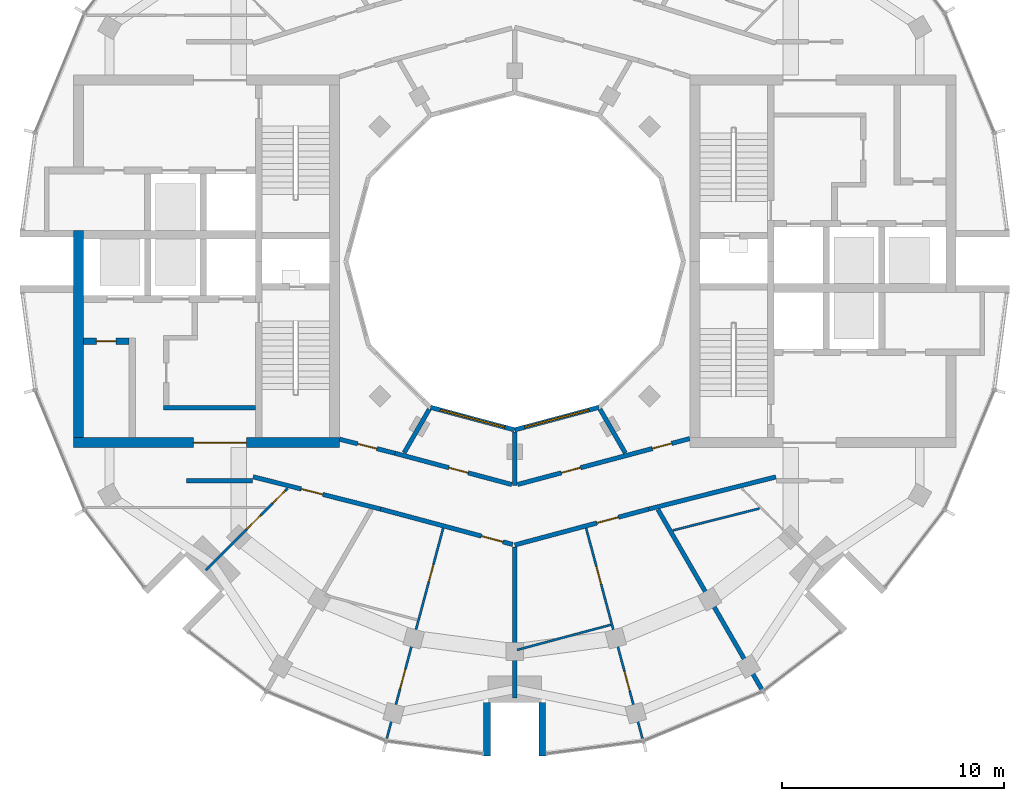
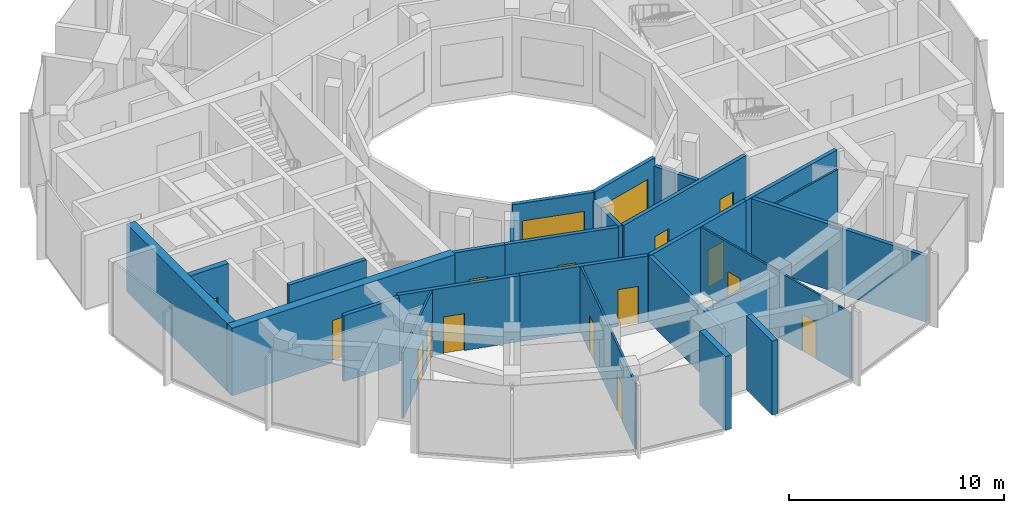
# One storey, part 8 of 14: 26 walls, 15 doors, 2 windows, 17 openings.
"""IFC4 building model written with IfcOpenShell, lengths in metres."""

from ifc_helpers import new_model, si_unit, direction, frame, frame_2d, origin, place, context, subcontext, project, spatial, rectangle, extrude, material, layer, layer_set, type_object, element, fill, save


model = new_model("IFC4")

# Units and contexts
model_context = context("Model", 3, precision=1e-05, world=origin(), true_north=direction((0.0, 1.0)))
body_context = subcontext(model_context, "Body", "Model", "MODEL_VIEW")
ifc_project = project(units=[si_unit("LENGTHUNIT", "METRE"), si_unit("AREAUNIT", "SQUARE_METRE"), si_unit("VOLUMEUNIT", "CUBIC_METRE"), si_unit("PLANEANGLEUNIT", "RADIAN"), si_unit("MASSUNIT", "GRAM", prefix="KILO")], contexts=[model_context])

# Site, building, storey
site_placement = place(None, origin())
site = spatial("IfcSite", under=ifc_project, at=site_placement, CompositionType="ELEMENT")
building_placement = place(site_placement, origin())
building = spatial("IfcBuilding", under=site, at=building_placement, Name="Torre Brocal", CompositionType="ELEMENT")
storey_placement = place(building_placement, frame((0.0, 0.0, 305.10009765625)))
storey = spatial("IfcBuildingStorey", under=building, at=storey_placement, Name="L70", CompositionType="ELEMENT", Elevation=305.10009765625)

# Wall
ifc_material_1 = material(Name="Concrete C50", Category="concrete")
ifc_layer_1 = layer(ifc_material_1, 0.199951171875)
ifc_layer_set_1 = layer_set([ifc_layer_1], Name="Concrete C50")
wall_type_1 = type_object("IfcWallType", Name="CORE WALL 200 C50 UNDER 350 SLAB", PredefinedType="SHEAR", material=ifc_layer_set_1)
wall_1_placement = place(storey_placement, frame((68.300048828125, 68.39990234375, 0.0), z_axis=(0.0, 0.0, 1.0), x_axis=(-1.0, 0.0, 0.0)))
element("IfcWall", 1, at=wall_1_placement, inside=storey, type_object=wall_type_1, Name="Wall CW200-50-S350", PredefinedType="SHEAR", context=body_context, shape_type="SweptSolid", body=[
    extrude(rectangle(XDim=4.150146484375, YDim=0.199951171875, at=frame_2d((2.0751953125, 0.0))), origin(), (0.0, 0.0, 1.0), 3.849853515625),
])

# Wall, opening, door
ifc_material_2 = material(Name="Concrete C50", Category="concrete")
ifc_layer_2 = layer(ifc_material_2, 0.300048828125)
ifc_layer_set_2 = layer_set([ifc_layer_2], Name="Concrete C50")
wall_type_2 = type_object("IfcWallType", Name="CORE WALL 300 C50 UNDER 350 SLAB", PredefinedType="SHEAR", material=ifc_layer_set_2)
wall_2_placement = place(storey_placement, frame((62.60009765625, 71.39990234375, 0.0), z_axis=(0.0, 0.0, 1.0), x_axis=(-1.0, 0.0, 0.0)))
wall_2 = element("IfcWall", 2, at=wall_2_placement, inside=storey, type_object=wall_type_2, Name="Wall CW300-50-S350", PredefinedType="SHEAR", context=body_context, shape_type="SweptSolid", body=[
    extrude(rectangle(XDim=2.050048828125, YDim=0.300048828125, at=frame_2d((1.02490234375, 0.0))), origin(), (0.0, 0.0, 1.0), 3.849853515625),
])
opening_1_placement = place(wall_2_placement, frame((0.574951171875, 0.0, 0.0)))
opening_1 = element("IfcOpeningElement", 3, at=opening_1_placement, cuts=wall_2, Name="Opening W-D06", PredefinedType="OPENING", context=body_context, shape_type="SweptSolid", body=[
    extrude(rectangle(XDim=0.89990234375, YDim=2.10009765625, at=frame_2d((0.449951171875, 1.050048828125))), frame((0.0, 0.159912109375, 0.0), z_axis=(0.0, -1.0, 0.0), x_axis=(1.0, 0.0, 0.0)), (0.0, 0.0, 1.0), 0.320068359375),
])
ifc_material_3 = material(Name="Steel A653", Category="steel")
door_type_1 = type_object("IfcDoorType", Name="ROOM DOOR FD30S 900X2100", OperationType="SINGLE_SWING_LEFT", PredefinedType="DOOR", material=ifc_material_3)
door_1_placement = place(opening_1_placement, origin())
door_1 = element("IfcDoor", 4, at=door_1_placement, inside=storey, type_object=door_type_1, Name="Door W-D06", OperationType="SINGLE_SWING_RIGHT", OverallHeight=2.10009765625, OverallWidth=0.89990234375, PredefinedType="DOOR", context=body_context, shape_type="SweptSolid", body=[
    extrude(rectangle(XDim=0.89990234375, YDim=2.10009765625, at=frame_2d((0.449951171875, 1.050048828125))), frame((0.0, 0.02490234375, 0.0), z_axis=(0.0, -1.0, 0.0), x_axis=(1.0, 0.0, 0.0)), (0.0, 0.0, 1.0), 0.050048828125),
])
fill(opening_1, door_1)

ifc_material_4 = material(Name="Concrete C50", Category="concrete")
ifc_layer_3 = layer(ifc_material_4, 0.449951171875)
ifc_layer_set_3 = layer_set([ifc_layer_3], Name="Concrete C50")
wall_type_3 = type_object("IfcWallType", Name="CORE WALL 450 C50 UNDER 350 SLAB", PredefinedType="SHEAR", material=ifc_layer_set_3)
wall_3_placement = place(storey_placement, frame((72.10009765625, 66.824951171875, 0.0), z_axis=(0.0, 0.0, 1.0), x_axis=(-1.0, 0.0, 0.0)))
wall_3 = element("IfcWall", 5, at=wall_3_placement, inside=storey, type_object=wall_type_3, Name="Wall CW450-50-S350", PredefinedType="SHEAR", context=body_context, shape_type="SweptSolid", body=[
    extrude(rectangle(XDim=12.0, YDim=0.449951171875, at=frame_2d((6.0, 0.0))), origin(), (0.0, 0.0, 1.0), 3.849853515625),
])
opening_2_placement = place(wall_3_placement, frame((4.199951171875, 0.0, 0.0)))
opening_2 = element("IfcOpeningElement", 6, at=opening_2_placement, cuts=wall_3, Name="Opening W-D24", PredefinedType="OPENING", context=body_context, shape_type="SweptSolid", body=[
    extrude(rectangle(XDim=2.39990234375, YDim=2.39990234375, at=frame_2d((1.199951171875, 1.199951171875))), frame((0.0, 0.23486328125, 0.0), z_axis=(0.0, -1.0, 0.0), x_axis=(1.0, 0.0, 0.0)), (0.0, 0.0, 1.0), 0.469970703125),
])
ifc_material_5 = material(Name="Steel A653", Category="steel")
door_type_2 = type_object("IfcDoorType", Name="DOUBLE FIRE DOOR FD90 2400X2400", OperationType="DOUBLE_DOOR_SINGLE_SWING", PredefinedType="DOOR", material=ifc_material_5)
door_2_placement = place(opening_2_placement, frame((2.39990234375, 0.0, 0.0), z_axis=(0.0, 0.0, 1.0), x_axis=(-1.0, 0.0, 0.0)))
door_2 = element("IfcDoor", 7, at=door_2_placement, inside=storey, type_object=door_type_2, Name="Door W-D24", OperationType="DOUBLE_DOOR_SINGLE_SWING", OverallHeight=2.39990234375, OverallWidth=2.39990234375, PredefinedType="DOOR", context=body_context, shape_type="SweptSolid", body=[
    extrude(rectangle(XDim=2.39990234375, YDim=2.39990234375, at=frame_2d((1.199951171875, 1.199951171875))), frame((0.0, 0.02490234375, 0.0), z_axis=(0.0, -1.0, 0.0), x_axis=(1.0, 0.0, 0.0)), (0.0, 0.0, 1.0), 0.050048828125),
])
fill(opening_2, door_2)

# Walls
wall_4_placement = place(storey_placement, frame((60.324951171875, 76.39990234375, 0.0), z_axis=(0.0, 0.0, 1.0), x_axis=(0.0, -1.0, 0.0)))
element("IfcWall", 8, at=wall_4_placement, inside=storey, type_object=wall_type_3, Name="Wall CW450-50-S350", PredefinedType="SHEAR", context=body_context, shape_type="SweptSolid", body=[
    extrude(rectangle(XDim=9.349853515625, YDim=0.449951171875, at=frame_2d((4.6748046875, 0.0))), origin(), (0.0, 0.0, 1.0), 3.849853515625),
])
ifc_material_6 = material(Name="Concrete C50", Category="concrete")
ifc_layer_4 = layer(ifc_material_6, 0.300048828125)
ifc_layer_set_4 = layer_set([ifc_layer_4], Name="Concrete C50")
wall_type_4 = type_object("IfcWallType", Name="NOTCH RETURN WALL 300 C50", PredefinedType="NOTDEFINED", material=ifc_layer_set_4)
for number, where, z_axis, x_axis, name in (
    (9, (78.75, 55.10009765625, 0.0), (0.0, 0.0, 1.0), (0.0, -1.0, 0.0), "NOTCH RETURN WALL"),
    (10, (81.25, 55.10009765625, 0.0), (0.0, 0.0, 1.0), (0.0, -1.0, 0.0), "NOTCH RETURN WALL"),
):
    element("IfcWall", number, at=place(storey_placement, frame(where, z_axis=z_axis, x_axis=x_axis)), inside=storey, type_object=wall_type_4, Name=name, PredefinedType="NOTDEFINED", context=body_context, shape_type="SweptSolid", body=[
        extrude(rectangle(XDim=2.415771484375, YDim=0.300048828125, at=frame_2d((1.2080078125, 0.0))), origin(), (0.0, 0.0, 1.0), 4.199951171875),
    ])

# Wall, openings, doors
ifc_material_7 = material(Name="Gypsum board", Category="Gypsum")
ifc_layer_5 = layer(ifc_material_7, 0.10009765625)
ifc_layer_set_5 = layer_set([ifc_layer_5], Name="Gypsum board")
wall_type_5 = type_object("IfcWallType", Name="PARTITION 100", PredefinedType="PARTITIONING", material=ifc_layer_set_5)
wall_5_placement = place(storey_placement, frame((66.06787109375, 61.072509765625, 0.0), z_axis=(0.0, 0.0, 1.0), x_axis=(0.707247084787, 0.706966449742, 0.0)))
wall_5 = element("IfcWall", 11, at=wall_5_placement, inside=storey, type_object=wall_type_5, Name="BATHROOM WALL", PredefinedType="PARTITIONING", context=body_context, shape_type="SweptSolid", body=[
    extrude(rectangle(XDim=5.2197265625, YDim=0.10009765625, at=frame_2d((2.60986328125, 0.0))), origin(), (0.0, 0.0, 1.0), 3.75),
])
opening_3_placement = place(wall_5_placement, frame((2.606201171875, 0.0, 0.0)))
opening_3 = element("IfcOpeningElement", 12, at=opening_3_placement, cuts=wall_5, Name="Opening N04-D27", PredefinedType="OPENING", context=body_context, shape_type="SweptSolid", body=[
    extrude(rectangle(XDim=0.89990234375, YDim=2.10009765625, at=frame_2d((0.449951171875, 1.050048828125))), frame((0.0, 0.06005859375, 0.0), z_axis=(0.0, -1.0, 0.0), x_axis=(1.0, 0.0, 0.0)), (0.0, 0.0, 1.0), 0.1201171875),
])
opening_4_placement = place(wall_5_placement, frame((4.2666015625, 0.0, 0.0)))
opening_4 = element("IfcOpeningElement", 13, at=opening_4_placement, cuts=wall_5, Name="Opening N04-D28", PredefinedType="OPENING", context=body_context, shape_type="SweptSolid", body=[
    extrude(rectangle(XDim=0.800048828125, YDim=2.10009765625, at=frame_2d((0.39990234375, 1.050048828125))), frame((0.0, 0.06005859375, 0.0), z_axis=(0.0, -1.0, 0.0), x_axis=(1.0, 0.0, 0.0)), (0.0, 0.0, 1.0), 0.1201171875),
])
ifc_material_8 = material(Name="Timber", Category="wood")
door_type_3 = type_object("IfcDoorType", Name="BATHROOM DOOR 800X2100", OperationType="SINGLE_SWING_LEFT", PredefinedType="DOOR", material=ifc_material_8)
door_3_placement = place(opening_4_placement, origin())
door_3 = element("IfcDoor", 14, at=door_3_placement, inside=storey, type_object=door_type_3, Name="N04-D28", OperationType="SINGLE_SWING_LEFT", OverallHeight=2.10009765625, OverallWidth=0.800048828125, PredefinedType="DOOR", context=body_context, shape_type="SweptSolid", body=[
    extrude(rectangle(XDim=0.800048828125, YDim=2.10009765625, at=frame_2d((0.39990234375, 1.050048828125))), frame((0.0, 0.02490234375, 0.0), z_axis=(0.0, -1.0, 0.0), x_axis=(1.0, 0.0, 0.0)), (0.0, 0.0, 1.0), 0.050048828125),
])
fill(opening_4, door_3)
ifc_material_9 = material(Name="Timber", Category="wood")
door_type_4 = type_object("IfcDoorType", Name="ROOM DOOR 900X2100", OperationType="SINGLE_SWING_LEFT", PredefinedType="DOOR", material=ifc_material_9)
door_4_placement = place(opening_3_placement, origin())
door_4 = element("IfcDoor", 15, at=door_4_placement, inside=storey, type_object=door_type_4, Name="N04-D27", OperationType="SINGLE_SWING_LEFT", OverallHeight=2.10009765625, OverallWidth=0.89990234375, PredefinedType="DOOR", context=body_context, shape_type="SweptSolid", body=[
    extrude(rectangle(XDim=0.89990234375, YDim=2.10009765625, at=frame_2d((0.449951171875, 1.050048828125))), frame((0.0, 0.02490234375, 0.0), z_axis=(0.0, -1.0, 0.0), x_axis=(1.0, 0.0, 0.0)), (0.0, 0.0, 1.0), 0.050048828125),
])
fill(opening_3, door_4)

wall_6_placement = place(storey_placement, frame((74.226806640625, 53.46240234375, 0.0), z_axis=(0.0, 0.0, 1.0), x_axis=(0.258915123069, 0.965900077154, 0.0)))
wall_6 = element("IfcWall", 16, at=wall_6_placement, inside=storey, type_object=wall_type_5, Name="BATHROOM WALL", PredefinedType="PARTITIONING", context=body_context, shape_type="SweptSolid", body=[
    extrude(rectangle(XDim=9.837646484375, YDim=0.10009765625, at=frame_2d((4.9189453125, 0.0))), origin(), (0.0, 0.0, 1.0), 3.75),
])
opening_5_placement = place(wall_6_placement, frame((2.343994140625, 0.0, 0.0)))
opening_5 = element("IfcOpeningElement", 17, at=opening_5_placement, cuts=wall_6, Name="Opening N04-D24", PredefinedType="OPENING", context=body_context, shape_type="SweptSolid", body=[
    extrude(rectangle(XDim=0.89990234375, YDim=2.10009765625, at=frame_2d((0.449951171875, 1.050048828125))), frame((0.0, 0.06005859375, 0.0), z_axis=(0.0, -1.0, 0.0), x_axis=(1.0, 0.0, 0.0)), (0.0, 0.0, 1.0), 0.1201171875),
])
opening_6_placement = place(wall_6_placement, frame((7.337890625, 0.0, 0.0)))
opening_6 = element("IfcOpeningElement", 18, at=opening_6_placement, cuts=wall_6, Name="Opening N04-D25", PredefinedType="OPENING", context=body_context, shape_type="SweptSolid", body=[
    extrude(rectangle(XDim=0.800048828125, YDim=2.10009765625, at=frame_2d((0.39990234375, 1.050048828125))), frame((0.0, 0.06005859375, 0.0), z_axis=(0.0, -1.0, 0.0), x_axis=(1.0, 0.0, 0.0)), (0.0, 0.0, 1.0), 0.1201171875),
])
door_5_placement = place(opening_6_placement, origin())
door_5 = element("IfcDoor", 19, at=door_5_placement, inside=storey, type_object=door_type_3, Name="N04-D25", OperationType="SINGLE_SWING_RIGHT", OverallHeight=2.10009765625, OverallWidth=0.800048828125, PredefinedType="DOOR", context=body_context, shape_type="SweptSolid", body=[
    extrude(rectangle(XDim=0.800048828125, YDim=2.10009765625, at=frame_2d((0.39990234375, 1.050048828125))), frame((0.0, 0.02490234375, 0.0), z_axis=(0.0, -1.0, 0.0), x_axis=(1.0, 0.0, 0.0)), (0.0, 0.0, 1.0), 0.050048828125),
])
fill(opening_6, door_5)
door_6_placement = place(opening_5_placement, frame((0.89990234375, 0.0, 0.0), z_axis=(0.0, 0.0, 1.0), x_axis=(-1.0, 0.0, 0.0)))
door_6 = element("IfcDoor", 20, at=door_6_placement, inside=storey, type_object=door_type_4, Name="N04-D24", OperationType="SINGLE_SWING_RIGHT", OverallHeight=2.10009765625, OverallWidth=0.89990234375, PredefinedType="DOOR", context=body_context, shape_type="SweptSolid", body=[
    extrude(rectangle(XDim=0.89990234375, YDim=2.10009765625, at=frame_2d((0.449951171875, 1.050048828125))), frame((0.0, 0.02490234375, 0.0), z_axis=(0.0, -1.0, 0.0), x_axis=(1.0, 0.0, 0.0)), (0.0, 0.0, 1.0), 0.050048828125),
])
fill(opening_5, door_6)

wall_7_placement = place(storey_placement, frame((83.2216796875, 62.963623046875, 0.0), z_axis=(0.0, 0.0, 1.0), x_axis=(0.25865876373, -0.965968759301, 0.0)))
wall_7 = element("IfcWall", 21, at=wall_7_placement, inside=storey, type_object=wall_type_5, Name="BATHROOM WALL", PredefinedType="PARTITIONING", context=body_context, shape_type="SweptSolid", body=[
    extrude(rectangle(XDim=9.837890625, YDim=0.10009765625, at=frame_2d((4.9189453125, 0.0))), origin(), (0.0, 0.0, 1.0), 3.75),
])
opening_7_placement = place(wall_7_placement, frame((6.693603515625, 0.0, 0.0)))
opening_7 = element("IfcOpeningElement", 22, at=opening_7_placement, cuts=wall_7, Name="Opening N04-D21", PredefinedType="OPENING", context=body_context, shape_type="SweptSolid", body=[
    extrude(rectangle(XDim=0.89990234375, YDim=2.10009765625, at=frame_2d((0.449951171875, 1.050048828125))), frame((0.0, 0.06005859375, 0.0), z_axis=(0.0, -1.0, 0.0), x_axis=(1.0, 0.0, 0.0)), (0.0, 0.0, 1.0), 0.1201171875),
])
opening_8_placement = place(wall_7_placement, frame((1.7998046875, 0.0, 0.0)))
opening_8 = element("IfcOpeningElement", 23, at=opening_8_placement, cuts=wall_7, Name="Opening N04-D22", PredefinedType="OPENING", context=body_context, shape_type="SweptSolid", body=[
    extrude(rectangle(XDim=0.800048828125, YDim=2.10009765625, at=frame_2d((0.39990234375, 1.050048828125))), frame((0.0, 0.06005859375, 0.0), z_axis=(0.0, -1.0, 0.0), x_axis=(1.0, 0.0, 0.0)), (0.0, 0.0, 1.0), 0.1201171875),
])
door_7_placement = place(opening_8_placement, frame((0.800048828125, 0.0, 0.0), z_axis=(0.0, 0.0, 1.0), x_axis=(-1.0, 0.0, 0.0)))
door_7 = element("IfcDoor", 24, at=door_7_placement, inside=storey, type_object=door_type_3, Name="N04-D22", OperationType="SINGLE_SWING_RIGHT", OverallHeight=2.10009765625, OverallWidth=0.800048828125, PredefinedType="DOOR", context=body_context, shape_type="SweptSolid", body=[
    extrude(rectangle(XDim=0.800048828125, YDim=2.10009765625, at=frame_2d((0.39990234375, 1.050048828125))), frame((0.0, 0.02490234375, 0.0), z_axis=(0.0, -1.0, 0.0), x_axis=(1.0, 0.0, 0.0)), (0.0, 0.0, 1.0), 0.050048828125),
])
fill(opening_8, door_7)
door_8_placement = place(opening_7_placement, frame((0.89990234375, 0.0, 0.0), z_axis=(0.0, 0.0, 1.0), x_axis=(-1.0, 0.0, 0.0)))
door_8 = element("IfcDoor", 25, at=door_8_placement, inside=storey, type_object=door_type_4, Name="N04-D21", OperationType="SINGLE_SWING_LEFT", OverallHeight=2.10009765625, OverallWidth=0.89990234375, PredefinedType="DOOR", context=body_context, shape_type="SweptSolid", body=[
    extrude(rectangle(XDim=0.89990234375, YDim=2.10009765625, at=frame_2d((0.449951171875, 1.050048828125))), frame((0.0, 0.02490234375, 0.0), z_axis=(0.0, -1.0, 0.0), x_axis=(1.0, 0.0, 0.0)), (0.0, 0.0, 1.0), 0.050048828125),
])
fill(opening_7, door_8)

# Walls
wall_8_placement = place(storey_placement, frame((87.131591796875, 62.861083984375, 0.0), z_axis=(0.0, 0.0, 1.0), x_axis=(0.969469230998, 0.245212989354, 0.0)))
element("IfcWall", 26, at=wall_8_placement, inside=storey, type_object=wall_type_5, Name="BATHROOM WALL", PredefinedType="PARTITIONING", context=body_context, shape_type="SweptSolid", body=[
    extrude(rectangle(XDim=4.0322265625, YDim=0.10009765625, at=frame_2d((2.01611328125, 0.0))), origin(), (0.0, 0.0, 1.0), 3.75),
])
ifc_material_10 = material(Name="Gypsum board", Category="Gypsum")
ifc_layer_6 = layer(ifc_material_10, 0.10009765625)
ifc_layer_set_6 = layer_set([ifc_layer_6], Name="Gypsum board")
wall_type_6 = type_object("IfcWallType", Name="PARTITION 100 UNDER BEAM 850", PredefinedType="PARTITIONING", material=ifc_layer_set_6)
wall_9_placement = place(storey_placement, frame((80.106201171875, 57.470458984375, 0.0), z_axis=(0.0, 0.0, 1.0), x_axis=(0.96592388346, 0.25882629573, 0.0)))
element("IfcWall", 27, at=wall_9_placement, inside=storey, type_object=wall_type_6, Name="BATHROOM WALL", PredefinedType="PARTITIONING", context=body_context, shape_type="SweptSolid", body=[
    extrude(rectangle(XDim=4.373779296875, YDim=0.10009765625, at=frame_2d((2.18701171875, 0.0))), origin(), (0.0, 0.0, 1.0), 3.349853515625),
])
ifc_material_11 = material(Name="Gypsum board", Category="Gypsum")
ifc_layer_7 = layer(ifc_material_11, 0.199951171875)
ifc_layer_set_7 = layer_set([ifc_layer_7], Name="Gypsum board")
wall_type_7 = type_object("IfcWallType", Name="PARTITION 200 EI60", PredefinedType="PARTITIONING", material=ifc_layer_set_7)
wall_10_placement = place(storey_placement, frame((65.199951171875, 65.10009765625, 0.0), z_axis=(0.0, 0.0, 1.0), x_axis=(1.0, 0.0, 0.0)))
element("IfcWall", 28, at=wall_10_placement, inside=storey, type_object=wall_type_7, Name="CORRIDOR WALL", PredefinedType="PARTITIONING", context=body_context, shape_type="SweptSolid", body=[
    extrude(rectangle(XDim=2.97998046875, YDim=0.199951171875, at=frame_2d((1.489990234375, 0.0))), origin(), (0.0, 0.0, 1.0), 3.75),
])

# Wall, opening, door
wall_11_placement = place(storey_placement, frame((68.199951171875, 65.280029296875, 0.0), z_axis=(0.0, 0.0, 1.0), x_axis=(0.969450596516, -0.245286650503, 0.0)))
wall_11 = element("IfcWall", 29, at=wall_11_placement, inside=storey, type_object=wall_type_7, Name="FLAT ENTRANCE WALL", PredefinedType="PARTITIONING", context=body_context, shape_type="SweptSolid", body=[
    extrude(rectangle(XDim=5.92822265625, YDim=0.199951171875, at=frame_2d((2.964111328125, 0.0))), origin(), (0.0, 0.0, 1.0), 3.75),
])
opening_9_placement = place(wall_11_placement, frame((2.239501953125, 0.0, 0.0)))
opening_9 = element("IfcOpeningElement", 30, at=opening_9_placement, cuts=wall_11, Name="Opening N04-D26", PredefinedType="OPENING", context=body_context, shape_type="SweptSolid", body=[
    extrude(rectangle(XDim=1.0, YDim=2.10009765625, at=frame_2d((0.5, 1.050048828125))), frame((0.0, 0.10986328125, 0.0), z_axis=(0.0, -1.0, 0.0), x_axis=(1.0, 0.0, 0.0)), (0.0, 0.0, 1.0), 0.219970703125),
])
ifc_material_12 = material(Name="Timber", Category="wood")
door_type_5 = type_object("IfcDoorType", Name="FLAT ENTRY DOOR FD30S 1000X2100", OperationType="SINGLE_SWING_RIGHT", PredefinedType="DOOR", material=ifc_material_12)
door_9_placement = place(opening_9_placement, frame((1.0, 0.0, 0.0), z_axis=(0.0, 0.0, 1.0), x_axis=(-1.0, 0.0, 0.0)))
door_9 = element("IfcDoor", 31, at=door_9_placement, inside=storey, type_object=door_type_5, Name="N04-D26", OperationType="SINGLE_SWING_RIGHT", OverallHeight=2.10009765625, OverallWidth=1.0, PredefinedType="DOOR", context=body_context, shape_type="SweptSolid", body=[
    extrude(rectangle(XDim=1.0, YDim=2.10009765625, at=frame_2d((0.5, 1.050048828125))), frame((0.0, 0.02490234375, 0.0), z_axis=(0.0, -1.0, 0.0), x_axis=(1.0, 0.0, 0.0)), (0.0, 0.0, 1.0), 0.050048828125),
])
fill(opening_9, door_9)

wall_12_placement = place(storey_placement, frame((72.10009765625, 66.97509765625, 0.0), z_axis=(0.0, 0.0, 1.0), x_axis=(0.969471314457, -0.245204752086, 0.0)))
wall_12 = element("IfcWall", 32, at=wall_12_placement, inside=storey, type_object=wall_type_7, Name="CORRIDOR WALL", PredefinedType="PARTITIONING", context=body_context, shape_type="SweptSolid", body=[
    extrude(rectangle(XDim=2.581787109375, YDim=0.199951171875, at=frame_2d((1.291015625, 0.0))), origin(), (0.0, 0.0, 1.0), 3.75),
])
opening_10_placement = place(wall_12_placement, frame((0.8408203125, 0.0, 0.0)))
opening_10 = element("IfcOpeningElement", 33, at=opening_10_placement, cuts=wall_12, Name="Opening N04-D32", PredefinedType="OPENING", context=body_context, shape_type="SweptSolid", body=[
    extrude(rectangle(XDim=0.89990234375, YDim=2.10009765625, at=frame_2d((0.449951171875, 1.050048828125))), frame((0.0, 0.10986328125, 0.0), z_axis=(0.0, -1.0, 0.0), x_axis=(1.0, 0.0, 0.0)), (0.0, 0.0, 1.0), 0.219970703125),
])
door_10_placement = place(opening_10_placement, origin())
door_10 = element("IfcDoor", 34, at=door_10_placement, inside=storey, type_object=door_type_4, Name="N04-D32", OperationType="SINGLE_SWING_LEFT", OverallHeight=2.10009765625, OverallWidth=0.89990234375, PredefinedType="DOOR", context=body_context, shape_type="SweptSolid", body=[
    extrude(rectangle(XDim=0.89990234375, YDim=2.10009765625, at=frame_2d((0.449951171875, 1.050048828125))), frame((0.0, 0.02490234375, 0.0), z_axis=(0.0, -1.0, 0.0), x_axis=(1.0, 0.0, 0.0)), (0.0, 0.0, 1.0), 0.050048828125),
])
fill(opening_10, door_10)

wall_13_placement = place(storey_placement, frame((73.947021484375, 63.825927734375, 0.0), z_axis=(0.0, 0.0, 1.0), x_axis=(0.965902169454, -0.258907317479, 0.0)))
wall_13 = element("IfcWall", 35, at=wall_13_placement, inside=storey, type_object=wall_type_7, Name="FLAT ENTRANCE WALL", PredefinedType="PARTITIONING", context=body_context, shape_type="SweptSolid", body=[
    extrude(rectangle(XDim=6.176513671875, YDim=0.199951171875, at=frame_2d((3.08837890625, 0.0))), origin(), (0.0, 0.0, 1.0), 3.75),
])
opening_11_placement = place(wall_13_placement, frame((4.716552734375, 0.0, 0.0)))
opening_11 = element("IfcOpeningElement", 36, at=opening_11_placement, cuts=wall_13, Name="Opening N04-D23", PredefinedType="OPENING", context=body_context, shape_type="SweptSolid", body=[
    extrude(rectangle(XDim=1.0, YDim=2.10009765625, at=frame_2d((0.5, 1.050048828125))), frame((0.0, 0.10986328125, 0.0), z_axis=(0.0, -1.0, 0.0), x_axis=(1.0, 0.0, 0.0)), (0.0, 0.0, 1.0), 0.219970703125),
])
door_11_placement = place(opening_11_placement, frame((1.0, 0.0, 0.0), z_axis=(0.0, 0.0, 1.0), x_axis=(-1.0, 0.0, 0.0)))
door_11 = element("IfcDoor", 37, at=door_11_placement, inside=storey, type_object=door_type_5, Name="N04-D23", OperationType="SINGLE_SWING_LEFT", OverallHeight=2.10009765625, OverallWidth=1.0, PredefinedType="DOOR", context=body_context, shape_type="SweptSolid", body=[
    extrude(rectangle(XDim=1.0, YDim=2.10009765625, at=frame_2d((0.5, 1.050048828125))), frame((0.0, 0.02490234375, 0.0), z_axis=(0.0, -1.0, 0.0), x_axis=(1.0, 0.0, 0.0)), (0.0, 0.0, 1.0), 0.050048828125),
])
fill(opening_11, door_11)

wall_14_placement = place(storey_placement, frame((74.60302734375, 66.342041015625, 0.0), z_axis=(0.0, 0.0, 1.0), x_axis=(0.965920893652, -0.258837453254, 0.0)))
wall_14 = element("IfcWall", 38, at=wall_14_placement, inside=storey, type_object=wall_type_7, Name="CORRIDOR WALL", PredefinedType="PARTITIONING", context=body_context, shape_type="SweptSolid", body=[
    extrude(rectangle(XDim=5.45751953125, YDim=0.199951171875, at=frame_2d((2.728759765625, 0.0))), origin(), (0.0, 0.0, 1.0), 3.75),
])
opening_12_placement = place(wall_14_placement, frame((2.512451171875, 0.0, 0.0)))
opening_12 = element("IfcOpeningElement", 39, at=opening_12_placement, cuts=wall_14, Name="Opening N04-D31", PredefinedType="OPENING", context=body_context, shape_type="SweptSolid", body=[
    extrude(rectangle(XDim=0.89990234375, YDim=2.10009765625, at=frame_2d((0.449951171875, 1.050048828125))), frame((0.0, 0.10986328125, 0.0), z_axis=(0.0, -1.0, 0.0), x_axis=(1.0, 0.0, 0.0)), (0.0, 0.0, 1.0), 0.219970703125),
])
door_12_placement = place(opening_12_placement, origin())
door_12 = element("IfcDoor", 40, at=door_12_placement, inside=storey, type_object=door_type_4, Name="N04-D31", OperationType="SINGLE_SWING_LEFT", OverallHeight=2.10009765625, OverallWidth=0.89990234375, PredefinedType="DOOR", context=body_context, shape_type="SweptSolid", body=[
    extrude(rectangle(XDim=0.89990234375, YDim=2.10009765625, at=frame_2d((0.449951171875, 1.050048828125))), frame((0.0, 0.02490234375, 0.0), z_axis=(0.0, -1.0, 0.0), x_axis=(1.0, 0.0, 0.0)), (0.0, 0.0, 1.0), 0.050048828125),
])
fill(opening_12, door_12)

# Wall
wall_15_placement = place(storey_placement, frame((75.01171875, 66.36328125, 0.0), z_axis=(0.0, 0.0, 1.0), x_axis=(0.500223967704, 0.86589605735, 0.0)))
element("IfcWall", 41, at=wall_15_placement, inside=storey, type_object=wall_type_7, Name="PARTY PARTITION", PredefinedType="PARTITIONING", context=body_context, shape_type="SweptSolid", body=[
    extrude(rectangle(XDim=2.275390625, YDim=0.199951171875, at=frame_2d((1.1376953125, 0.0))), origin(), (0.0, 0.0, 1.0), 3.75),
])

# Wall, openings, doors
wall_16_placement = place(storey_placement, frame((80.125, 64.931640625, 0.0), z_axis=(0.0, 0.0, 1.0), x_axis=(0.966236955806, 0.257655089674, 0.0)))
wall_16 = element("IfcWall", 42, at=wall_16_placement, inside=storey, type_object=wall_type_7, Name="CORRIDOR WALL", PredefinedType="PARTITIONING", context=body_context, shape_type="SweptSolid", body=[
    extrude(rectangle(XDim=8.0390625, YDim=0.199951171875, at=frame_2d((4.01953125, 0.0))), origin(), (0.0, 0.0, 1.0), 3.75),
])
opening_13_placement = place(wall_16_placement, frame((6.298095703125, 0.0, 0.0)))
opening_13 = element("IfcOpeningElement", 43, at=opening_13_placement, cuts=wall_16, Name="Opening N04-D29", PredefinedType="OPENING", context=body_context, shape_type="SweptSolid", body=[
    extrude(rectangle(XDim=0.89990234375, YDim=2.10009765625, at=frame_2d((0.449951171875, 1.050048828125))), frame((0.0, 0.10986328125, 0.0), z_axis=(0.0, -1.0, 0.0), x_axis=(1.0, 0.0, 0.0)), (0.0, 0.0, 1.0), 0.219970703125),
])
opening_14_placement = place(wall_16_placement, frame((2.044921875, 0.0, 0.0)))
opening_14 = element("IfcOpeningElement", 44, at=opening_14_placement, cuts=wall_16, Name="Opening N04-D30", PredefinedType="OPENING", context=body_context, shape_type="SweptSolid", body=[
    extrude(rectangle(XDim=0.89990234375, YDim=2.10009765625, at=frame_2d((0.449951171875, 1.050048828125))), frame((0.0, 0.10986328125, 0.0), z_axis=(0.0, -1.0, 0.0), x_axis=(1.0, 0.0, 0.0)), (0.0, 0.0, 1.0), 0.219970703125),
])
door_13_placement = place(opening_13_placement, origin())
door_13 = element("IfcDoor", 45, at=door_13_placement, inside=storey, type_object=door_type_4, Name="N04-D29", OperationType="SINGLE_SWING_RIGHT", OverallHeight=2.10009765625, OverallWidth=0.89990234375, PredefinedType="DOOR", context=body_context, shape_type="SweptSolid", body=[
    extrude(rectangle(XDim=0.89990234375, YDim=2.10009765625, at=frame_2d((0.449951171875, 1.050048828125))), frame((0.0, 0.02490234375, 0.0), z_axis=(0.0, -1.0, 0.0), x_axis=(1.0, 0.0, 0.0)), (0.0, 0.0, 1.0), 0.050048828125),
])
fill(opening_13, door_13)
door_14_placement = place(opening_14_placement, origin())
door_14 = element("IfcDoor", 46, at=door_14_placement, inside=storey, type_object=door_type_4, Name="N04-D30", OperationType="SINGLE_SWING_RIGHT", OverallHeight=2.10009765625, OverallWidth=0.89990234375, PredefinedType="DOOR", context=body_context, shape_type="SweptSolid", body=[
    extrude(rectangle(XDim=0.89990234375, YDim=2.10009765625, at=frame_2d((0.449951171875, 1.050048828125))), frame((0.0, 0.02490234375, 0.0), z_axis=(0.0, -1.0, 0.0), x_axis=(1.0, 0.0, 0.0)), (0.0, 0.0, 1.0), 0.050048828125),
])
fill(opening_14, door_14)

# Wall
wall_17_placement = place(storey_placement, frame((80.0, 55.300048828125, 0.0), z_axis=(0.0, 0.0, 1.0), x_axis=(0.0, 1.0, 0.0)))
element("IfcWall", 47, at=wall_17_placement, inside=storey, type_object=wall_type_7, Name="BATHROOM WALL", PredefinedType="PARTITIONING", context=body_context, shape_type="SweptSolid", body=[
    extrude(rectangle(XDim=6.81396484375, YDim=0.199951171875, at=frame_2d((3.406982421875, 0.0))), origin(), (0.0, 0.0, 1.0), 3.75),
])

# Wall, opening, door
wall_18_placement = place(storey_placement, frame((80.0, 62.2041015625, 0.0), z_axis=(0.0, 0.0, 1.0), x_axis=(0.965938139786, 0.258773086132, 0.0)))
wall_18 = element("IfcWall", 48, at=wall_18_placement, inside=storey, type_object=wall_type_7, Name="FLAT ENTRANCE WALL", PredefinedType="PARTITIONING", context=body_context, shape_type="SweptSolid", body=[
    extrude(rectangle(XDim=6.266357421875, YDim=0.199951171875, at=frame_2d((3.13330078125, 0.0))), origin(), (0.0, 0.0, 1.0), 3.75),
])
opening_15_placement = place(wall_18_placement, frame((3.84228515625, 0.0, 0.0)))
opening_15 = element("IfcOpeningElement", 49, at=opening_15_placement, cuts=wall_18, Name="Opening N04-D20", PredefinedType="OPENING", context=body_context, shape_type="SweptSolid", body=[
    extrude(rectangle(XDim=1.0, YDim=2.10009765625, at=frame_2d((0.5, 1.050048828125))), frame((0.0, 0.10986328125, 0.0), z_axis=(0.0, -1.0, 0.0), x_axis=(1.0, 0.0, 0.0)), (0.0, 0.0, 1.0), 0.219970703125),
])
door_15_placement = place(opening_15_placement, frame((1.0, 0.0, 0.0), z_axis=(0.0, 0.0, 1.0), x_axis=(-1.0, 0.0, 0.0)))
door_15 = element("IfcDoor", 50, at=door_15_placement, inside=storey, type_object=door_type_5, Name="N04-D20", OperationType="SINGLE_SWING_RIGHT", OverallHeight=2.10009765625, OverallWidth=1.0, PredefinedType="DOOR", context=body_context, shape_type="SweptSolid", body=[
    extrude(rectangle(XDim=1.0, YDim=2.10009765625, at=frame_2d((0.5, 1.050048828125))), frame((0.0, 0.02490234375, 0.0), z_axis=(0.0, -1.0, 0.0), x_axis=(1.0, 0.0, 0.0)), (0.0, 0.0, 1.0), 0.050048828125),
])
fill(opening_15, door_15)

# Walls
wall_19_placement = place(storey_placement, frame((80.0, 64.89599609375, 0.0), z_axis=(0.0, 0.0, 1.0), x_axis=(0.0, 1.0, 0.0)))
element("IfcWall", 51, at=wall_19_placement, inside=storey, type_object=wall_type_7, Name="PARTY PARTITION", PredefinedType="PARTITIONING", context=body_context, shape_type="SweptSolid", body=[
    extrude(rectangle(XDim=2.405029296875, YDim=0.199951171875, at=frame_2d((1.20263671875, 0.0))), origin(), (0.0, 0.0, 1.0), 3.75),
])
wall_20_placement = place(storey_placement, frame((83.848388671875, 68.33251953125, 0.0), z_axis=(0.0, 0.0, 1.0), x_axis=(0.499873506666, -0.866098422429, 0.0)))
element("IfcWall", 52, at=wall_20_placement, inside=storey, type_object=wall_type_7, Name="PARTY PARTITION", PredefinedType="PARTITIONING", context=body_context, shape_type="SweptSolid", body=[
    extrude(rectangle(XDim=2.28515625, YDim=0.199951171875, at=frame_2d((1.142578125, 0.0))), origin(), (0.0, 0.0, 1.0), 3.75),
])
wall_21_placement = place(storey_placement, frame((86.052978515625, 63.826171875, 0.0), z_axis=(0.0, 0.0, 1.0), x_axis=(0.969490004987, 0.245130843083, 0.0)))
element("IfcWall", 53, at=wall_21_placement, inside=storey, type_object=wall_type_7, Name="FLAT ENTRANCE WALL", PredefinedType="PARTITIONING", context=body_context, shape_type="SweptSolid", body=[
    extrude(rectangle(XDim=5.907958984375, YDim=0.199951171875, at=frame_2d((2.9541015625, 0.0))), origin(), (0.0, 0.0, 1.0), 3.75),
])
wall_22_placement = place(storey_placement, frame((86.46435546875, 63.80029296875, 0.0), z_axis=(0.0, 0.0, 1.0), x_axis=(0.499890179513, -0.866088799389, 0.0)))
element("IfcWall", 54, at=wall_22_placement, inside=storey, type_object=wall_type_7, Name="BATHROOM WALL", PredefinedType="PARTITIONING", context=body_context, shape_type="SweptSolid", body=[
    extrude(rectangle(XDim=9.3662109375, YDim=0.199951171875, at=frame_2d((4.68310546875, 0.0))), origin(), (0.0, 0.0, 1.0), 3.75),
])

# Wall, opening, window
ifc_material_13 = material(Name="Concrete C40", Category="concrete")
ifc_layer_8 = layer(ifc_material_13, 0.199951171875)
ifc_layer_set_8 = layer_set([ifc_layer_8], Name="Concrete C40")
wall_type_8 = type_object("IfcWallType", Name="WELL FACADE WALL 200", PredefinedType="NOTDEFINED", material=ifc_layer_set_8)
wall_23_placement = place(storey_placement, frame((76.1982421875, 68.4150390625, 0.0), z_axis=(0.0, 0.0, 1.0), x_axis=(0.965933654434, -0.258789828301, 0.0)))
wall_23 = element("IfcWall", 55, at=wall_23_placement, inside=storey, type_object=wall_type_8, Name="WELL FACADE WALL", PredefinedType="NOTDEFINED", context=body_context, shape_type="SweptSolid", body=[
    extrude(rectangle(XDim=3.935791015625, YDim=0.199951171875, at=frame_2d((1.9677734375, 0.0))), origin(), (0.0, 0.0, 1.0), 4.199951171875),
])
opening_16_placement = place(wall_23_placement, frame((0.468017578125, 0.0, 0.89990234375)))
opening_16 = element("IfcOpeningElement", 56, at=opening_16_placement, cuts=wall_23, Name="Opening W1", PredefinedType="OPENING", context=body_context, shape_type="SweptSolid", body=[
    extrude(rectangle(XDim=3.0, YDim=2.300048828125, at=frame_2d((1.5, 1.14990234375))), frame((0.0, 0.10986328125, 0.0), z_axis=(0.0, -1.0, 0.0), x_axis=(1.0, 0.0, 0.0)), (0.0, 0.0, 1.0), 0.219970703125),
])
ifc_material_14 = material(Name="Aluminium and glass", Category="aluminium")
window_type = type_object("IfcWindowType", Name="WELL WINDOW 3000X2300", PartitioningType="SINGLE_PANEL", PredefinedType="WINDOW", material=ifc_material_14)
window_1_placement = place(opening_16_placement, origin())
window_1 = element("IfcWindow", 57, at=window_1_placement, inside=storey, type_object=window_type, Name="WELL WINDOW 3000X2300", OverallHeight=2.300048828125, OverallWidth=3.0, PartitioningType="SINGLE_PANEL", PredefinedType="WINDOW", context=body_context, shape_type="SweptSolid", body=[
    extrude(rectangle(XDim=3.0, YDim=2.300048828125, at=frame_2d((1.5, 1.14990234375))), frame((0.0, 0.030029296875, 0.0), z_axis=(0.0, -1.0, 0.0), x_axis=(1.0, 0.0, 0.0)), (0.0, 0.0, 1.0), 0.06005859375),
])
fill(opening_16, window_1)

wall_24_placement = place(storey_placement, frame((80.0, 67.396484375, 0.0), z_axis=(0.0, 0.0, 1.0), x_axis=(0.965933654434, 0.258789828301, 0.0)))
wall_24 = element("IfcWall", 58, at=wall_24_placement, inside=storey, type_object=wall_type_8, Name="WELL FACADE WALL", PredefinedType="NOTDEFINED", context=body_context, shape_type="SweptSolid", body=[
    extrude(rectangle(XDim=3.935791015625, YDim=0.199951171875, at=frame_2d((1.9677734375, 0.0))), origin(), (0.0, 0.0, 1.0), 4.199951171875),
])
opening_17_placement = place(wall_24_placement, frame((0.468017578125, 0.0, 0.89990234375)))
opening_17 = element("IfcOpeningElement", 59, at=opening_17_placement, cuts=wall_24, Name="Opening W1", PredefinedType="OPENING", context=body_context, shape_type="SweptSolid", body=[
    extrude(rectangle(XDim=3.0, YDim=2.300048828125, at=frame_2d((1.5, 1.14990234375))), frame((0.0, 0.10986328125, 0.0), z_axis=(0.0, -1.0, 0.0), x_axis=(1.0, 0.0, 0.0)), (0.0, 0.0, 1.0), 0.219970703125),
])
window_2_placement = place(opening_17_placement, origin())
window_2 = element("IfcWindow", 60, at=window_2_placement, inside=storey, type_object=window_type, Name="WELL WINDOW 3000X2300", OverallHeight=2.300048828125, OverallWidth=3.0, PartitioningType="SINGLE_PANEL", PredefinedType="WINDOW", context=body_context, shape_type="SweptSolid", body=[
    extrude(rectangle(XDim=3.0, YDim=2.300048828125, at=frame_2d((1.5, 1.14990234375))), frame((0.0, 0.030029296875, 0.0), z_axis=(0.0, -1.0, 0.0), x_axis=(1.0, 0.0, 0.0)), (0.0, 0.0, 1.0), 0.06005859375),
])
fill(opening_17, window_2)

save(model, "model.ifc")
